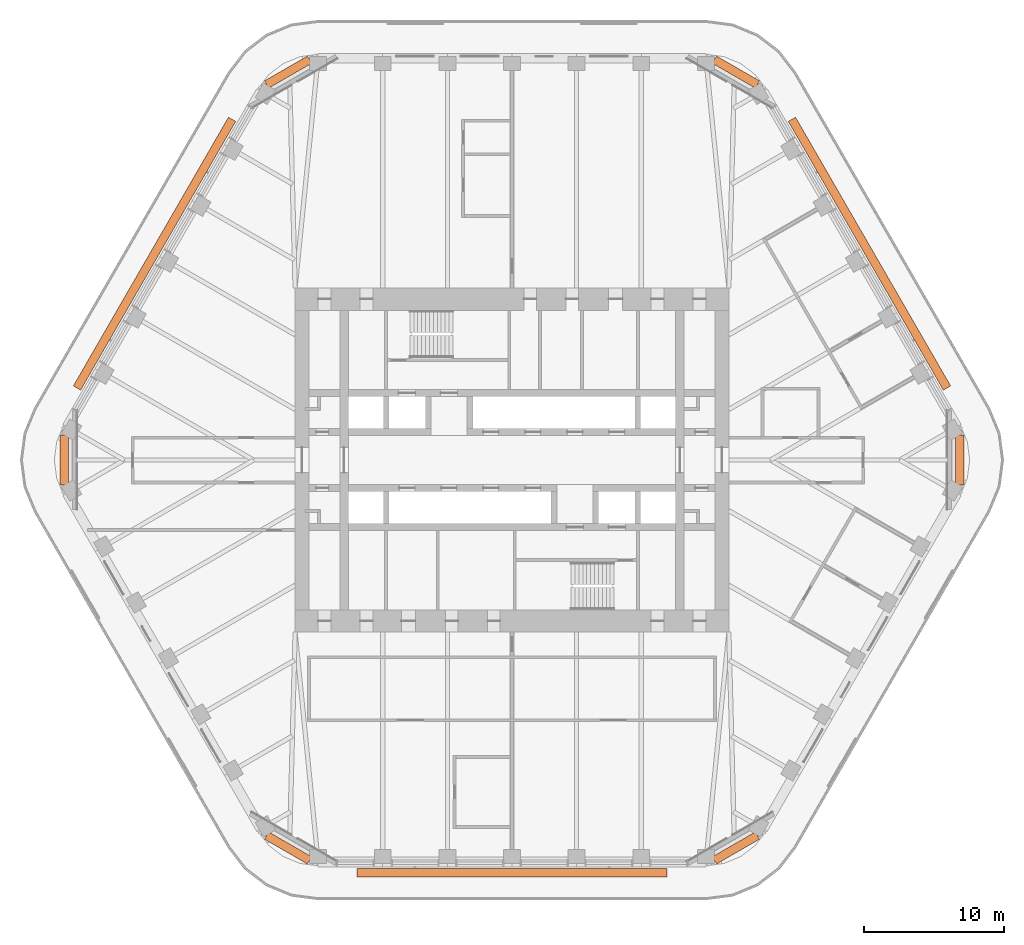
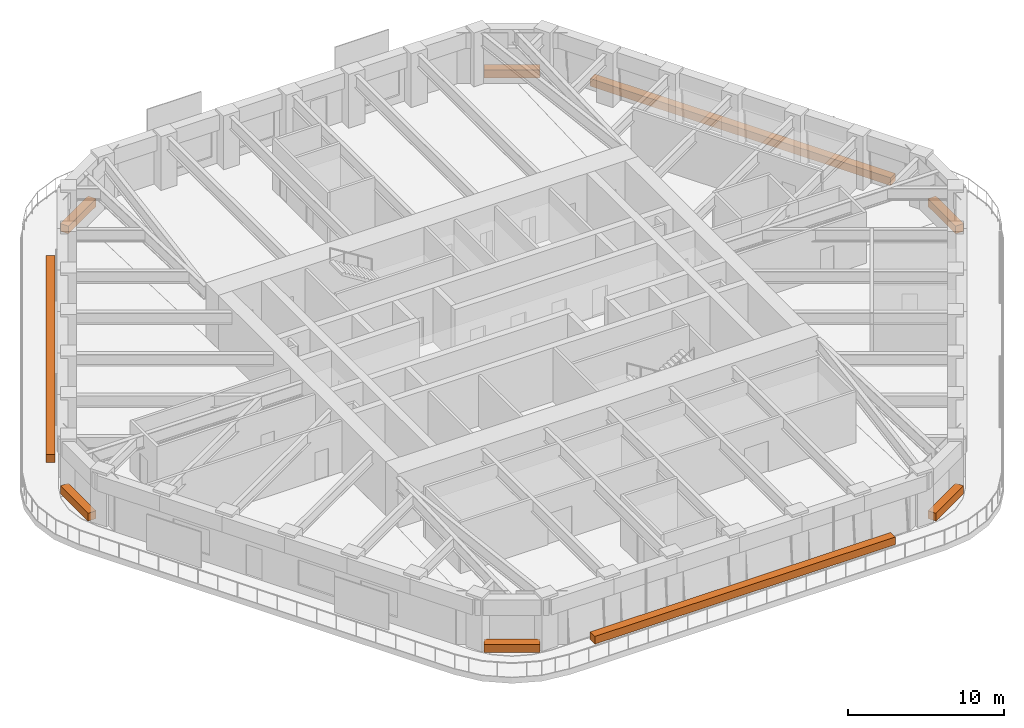
# One storey, part 20 of 20: 9 proxies.
"""IFC4 building model written with IfcOpenShell, lengths in metres."""

import ifcopenshell
import ifcopenshell.guid

model = None  # the IFC model being written
_history = None  # IfcOwnerHistory: only IFC2X3 demands one
_inside = {}  # id of a spatial element -> (the spatial element, [elements in it])
_under = {}  # id of a project, library or spatial element -> (it, [spatial elements below it])
_declared = {}  # id of a project -> (the project, [libraries it declares])
_typed = {}  # id of a type object -> (the type object, [elements of that type])
_made_of = {}  # id of a material, layer set ... -> (it, [elements and type objects made of it])


def new_model(schema):
    """Start an empty IFC model of exactly this schema.

    Asked for "IFC4X3", IfcOpenShell would pick the latest addendum, in which some entities
    have other attributes; the version numbers below select the first issue.
    IFC2X3 requires an IfcOwnerHistory on every rooted entity: one is made here for all.
    """
    global model, _history
    if schema == "IFC4X3":
        model = ifcopenshell.file(schema_version=(4, 3, 0, 0))
    else:
        model = ifcopenshell.file(schema=schema)
    _inside.clear()
    _under.clear()
    _declared.clear()
    _typed.clear()
    _made_of.clear()
    _history = None
    if model.schema == "IFC2X3":
        org = make("IfcOrganization", Name="unknown")
        user = make(
            "IfcPersonAndOrganization",
            ThePerson=make("IfcPerson", FamilyName="unknown"),
            TheOrganization=org,
        )
        app = make(
            "IfcApplication",
            ApplicationDeveloper=org,
            Version="unknown",
            ApplicationFullName="unknown",
            ApplicationIdentifier="unknown",
        )
        _history = make(
            "IfcOwnerHistory",
            OwningUser=user,
            OwningApplication=app,
            ChangeAction="ADDED",
            CreationDate=0,
        )
    return model


def make(cls, **values):
    """One entity of the class cls with the attributes given. An attribute that is None is left unset."""
    return model.create_entity(
        cls, **{name: value for name, value in values.items() if value is not None}
    )


def rooted(cls, **values):
    """An entity with a GlobalId (a new one), such as an element, a storey or a relation."""
    return make(cls, GlobalId=ifcopenshell.guid.new(), OwnerHistory=_history, **values)


def si_unit(unit_type, name, prefix=None):
    """IfcSIUnit, for example si_unit("LENGTHUNIT", "METRE", prefix="MILLI")."""
    return make("IfcSIUnit", UnitType=unit_type, Prefix=prefix, Name=name)


def assignment(units):
    """IfcUnitAssignment: the units of a project."""
    return None if units is None else make("IfcUnitAssignment", Units=units)


def point(xyz):
    """IfcCartesianPoint."""
    return None if xyz is None else make("IfcCartesianPoint", Coordinates=xyz)


def direction(xyz):
    """IfcDirection."""
    return None if xyz is None else make("IfcDirection", DirectionRatios=xyz)


def frame(location, z_axis=None, x_axis=None):
    """IfcAxis2Placement3D, a coordinate frame: its origin and axes. An axis left out is left unset."""
    return make(
        "IfcAxis2Placement3D",
        Location=point(location),
        Axis=direction(z_axis),
        RefDirection=direction(x_axis),
    )


def frame_2d(location, x_axis=None):
    """IfcAxis2Placement2D, a coordinate frame in the plane: its origin and x axis."""
    return make(
        "IfcAxis2Placement2D", Location=point(location), RefDirection=direction(x_axis)
    )


def origin():
    """The frame at (0, 0, 0) with its axes left unset."""
    return frame((0.0, 0.0, 0.0))


def origin_2d():
    """The frame at (0, 0) in the plane with its x axis left unset."""
    return frame_2d((0.0, 0.0))


def place(relative_to, where):
    """IfcLocalPlacement: puts the frame where relative to a parent placement (None: the world)."""
    return make(
        "IfcLocalPlacement", PlacementRelTo=relative_to, RelativePlacement=where
    )


def context(
    kind, dimensions, precision=None, world=None, true_north=None, identifier=None
):
    """IfcGeometricRepresentationContext, for example the 3D "Model" context."""
    return make(
        "IfcGeometricRepresentationContext",
        ContextIdentifier=identifier,
        ContextType=kind,
        CoordinateSpaceDimension=dimensions,
        Precision=precision,
        WorldCoordinateSystem=world,
        TrueNorth=true_north,
    )


def subcontext(parent, identifier, kind, view, scale=None):
    """IfcGeometricRepresentationSubContext, for example "Body" below "Model"."""
    return make(
        "IfcGeometricRepresentationSubContext",
        ContextIdentifier=identifier,
        ContextType=kind,
        ParentContext=parent,
        TargetScale=scale,
        TargetView=view,
    )


def project(units=None, contexts=None):
    """IfcProject with its units and contexts."""
    return rooted(
        "IfcProject",
        Name="project",
        RepresentationContexts=contexts,
        UnitsInContext=assignment(units),
    )


def spatial(cls, under=None, at=None, **own):
    """A site, building, storey or space (cls), placed at a placement, below another one or the project."""
    s = rooted(cls, ObjectPlacement=at, **own)
    if under is not None:
        _under.setdefault(under.id(), (under, []))[1].append(s)
    return s


def profile(cls, at=None, kind="AREA", **sizes):
    """A parametric profile (cls). Its sizes go by their IFC names, for example OverallWidth=200.0."""
    return make(cls, ProfileType=kind, Position=at, **sizes)


def rectangle(**sizes):
    """IfcRectangleProfileDef."""
    return profile("IfcRectangleProfileDef", **sizes)


def extrude(swept, where, along, depth):
    """IfcExtrudedAreaSolid: the profile swept, set in the frame where, extruded along a direction by depth."""
    return make(
        "IfcExtrudedAreaSolid",
        SweptArea=swept,
        Position=where,
        ExtrudedDirection=direction(along),
        Depth=depth,
    )


def shape(context_of_items, identifier, shape_type, items):
    """IfcShapeRepresentation: the items that make up one representation, for example the "Body"."""
    return make(
        "IfcShapeRepresentation",
        ContextOfItems=context_of_items,
        RepresentationIdentifier=identifier,
        RepresentationType=shape_type,
        Items=items,
    )


def material(Name=None, Category=None):
    """IfcMaterial."""
    return make("IfcMaterial", Name=Name, Category=Category)


def made_of(thing, what):
    """Note that an element or type object is made of a material, layer set ...; save() writes the relation."""
    if what is not None:
        _made_of.setdefault(what.id(), (what, []))[1].append(thing)
    return thing


def element(
    cls,
    number,
    at=None,
    inside=None,
    cuts=None,
    type_object=None,
    material=None,
    context=None,
    identifier="Body",
    shape_type=None,
    held_by="IfcProductDefinitionShape",
    body=None,
    shapes=None,
    **own,
):
    """One element of the class cls, such as IfcWall. Its Tag is "e" and its number.

    at: its placement. inside: the storey or other place that contains it. cuts: it is an
    opening in that element (IfcRelVoidsElement). A single representation is given by context,
    identifier, shape_type and body (its items); several are given by shapes. held_by: the class
    of the entity that holds the representations. save() writes the other relations.
    """
    e = rooted(cls, Tag="e%d" % number, ObjectPlacement=at, **own)
    if body is not None:
        shapes = [shape(context, identifier, shape_type, body)]
    if shapes is not None:
        e.Representation = make(held_by, Representations=shapes)
    if inside is not None:
        _inside.setdefault(inside.id(), (inside, []))[1].append(e)
    if cuts is not None:
        rooted(
            "IfcRelVoidsElement", RelatingBuildingElement=cuts, RelatedOpeningElement=e
        )
    if type_object is not None:
        _typed.setdefault(type_object.id(), (type_object, []))[1].append(e)
    return made_of(e, material)


def aggregate(whole, parts):
    """IfcRelAggregates: a whole, such as a stair, and the parts it consists of."""
    return rooted("IfcRelAggregates", RelatingObject=whole, RelatedObjects=parts)


def save(model, path):
    """Write the relations noted so far, then the file.

    IfcRelAggregates (storeys below a building ...), IfcRelContainedInSpatialStructure (elements
    in a storey), IfcRelDefinesByType, IfcRelAssociatesMaterial and IfcRelDeclares: one each for
    every whole, place, type object, material and project.
    """
    for whole, parts in _under.values():
        aggregate(whole, parts)
    for where, things in _inside.values():
        rooted(
            "IfcRelContainedInSpatialStructure",
            RelatedElements=things,
            RelatingStructure=where,
        )
    for kind, things in _typed.values():
        rooted("IfcRelDefinesByType", RelatedObjects=things, RelatingType=kind)
    for what, things in _made_of.values():
        rooted("IfcRelAssociatesMaterial", RelatedObjects=things, RelatingMaterial=what)
    for by, libraries in _declared.values():
        rooted("IfcRelDeclares", RelatingContext=by, RelatedDefinitions=libraries)
    model.write(path)


model = new_model("IFC4")

# Units and contexts
model_context = context("Model", 3, precision=1e-05, world=origin(), true_north=direction((0.0, 1.0)))
body_context = subcontext(model_context, "Body", "Model", "MODEL_VIEW")
ifc_project = project(units=[si_unit("LENGTHUNIT", "METRE"), si_unit("AREAUNIT", "SQUARE_METRE"), si_unit("VOLUMEUNIT", "CUBIC_METRE"), si_unit("PLANEANGLEUNIT", "RADIAN"), si_unit("MASSUNIT", "GRAM", prefix="KILO")], contexts=[model_context])

# Site, building, storey
site_placement = place(None, origin())
site = spatial("IfcSite", under=ifc_project, at=site_placement, CompositionType="ELEMENT")
building_placement = place(site_placement, origin())
building = spatial("IfcBuilding", under=site, at=building_placement, Name="Tarfa Lantern Tower", CompositionType="ELEMENT")
storey_placement = place(building_placement, frame((0.0, 0.0, 261.699951171875)))
storey = spatial("IfcBuildingStorey", under=building, at=storey_placement, Name="L59", CompositionType="ELEMENT", Elevation=261.699951171875)

# Proxies
ifc_material = material(Name="Planting bed")
for number, where, z_axis, x_axis, name in (
    (1, (16.006591796875, 27.72412109375, 0.0400390625), (0.0, 0.0, 1.0), (-0.866025403784, 0.5, 0.0), "Sky garden planter"),
    (2, (-16.006591796875, 27.72412109375, 0.0400390625), (0.0, 0.0, 1.0), (-0.866025403784, -0.5, 0.0), "Sky garden planter"),
    (3, (-32.012939453125, 0.0, 0.0400390625), (0.0, 0.0, 1.0), (0.0, -1.0, 0.0), "Sky garden planter"),
    (4, (-16.006591796875, -27.72412109375, 0.0400390625), (0.0, 0.0, 1.0), (0.866025403784, -0.5, 0.0), "Sky garden planter"),
    (5, (16.006591796875, -27.72412109375, 0.0400390625), (0.0, 0.0, 1.0), (0.866025403784, 0.5, 0.0), "Sky garden planter"),
    (6, (32.012939453125, 0.0, 0.0400390625), (0.0, 0.0, 1.0), (0.0, 1.0, 0.0), "Sky garden planter"),
):
    element("IfcBuildingElementProxy", number, at=place(storey_placement, frame(where, z_axis=z_axis, x_axis=x_axis)), inside=storey, material=ifc_material, Name=name, ObjectType="PLANTER", PredefinedType="USERDEFINED", context=body_context, shape_type="SweptSolid", body=[
        extrude(rectangle(XDim=3.551025390625, YDim=0.60009765625, at=origin_2d()), origin(), (0.0, 0.0, 1.0), 0.60009765625),
    ])
for number, where, z_axis, x_axis, name in (
    (7, (25.5478515625, 14.75, 0.0), (0.0, 0.0, 1.0), (-0.5, 0.866025403784, 0.0), "Balcony planter"),
    (8, (-25.5478515625, 14.75, 0.0), (0.0, 0.0, 1.0), (-0.5, -0.866025403784, 0.0), "Balcony planter"),
    (9, (0.0, -29.5, 0.0), (0.0, 0.0, 1.0), (1.0, 0.0, 0.0), "Balcony planter"),
):
    element("IfcBuildingElementProxy", number, at=place(storey_placement, frame(where, z_axis=z_axis, x_axis=x_axis)), inside=storey, material=ifc_material, Name=name, ObjectType="PLANTER", PredefinedType="USERDEFINED", context=body_context, shape_type="SweptSolid", body=[
        extrude(rectangle(XDim=22.170166015625, YDim=0.60009765625, at=origin_2d()), origin(), (0.0, 0.0, 1.0), 0.60009765625),
    ])

save(model, "model.ifc")
